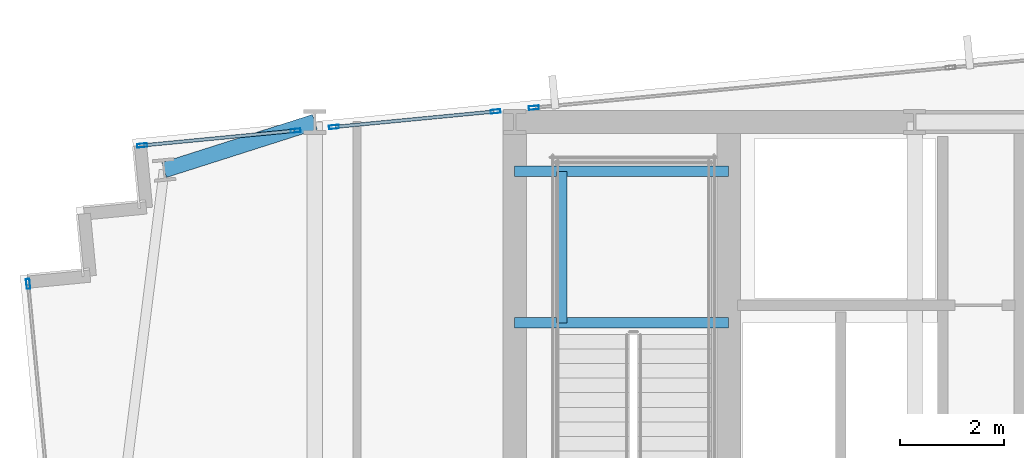
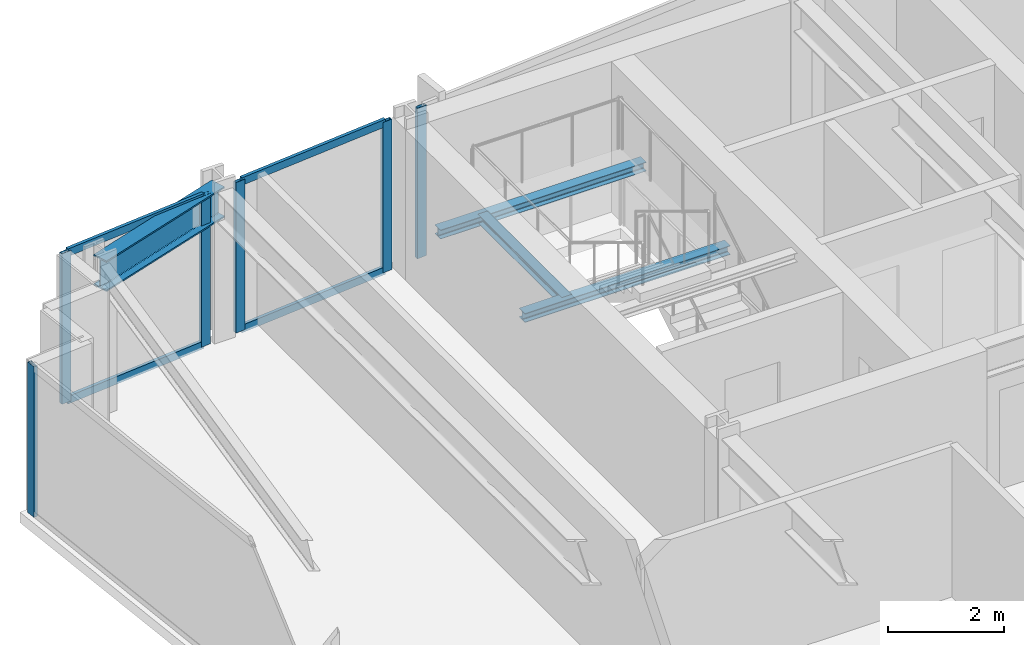
# One storey, part 17 of 33: 10 members, 4 beams, 4 elements without a shape of their own.
"""IFC4 building model written with IfcOpenShell, lengths in metres."""

from ifc_helpers import new_model, si_unit, direction, frame, origin, origin_2d, place, context, subcontext, project, spatial, hollow_rectangle, i_section, extrude, material, material_profile, profile_set, type_object, element, aggregate, save


model = new_model("IFC4")

# Units and contexts
model_context = context("Model", 3, precision=1e-05, world=origin(), true_north=direction((0.0, 1.0)))
body_context = subcontext(model_context, "Body", "Model", "MODEL_VIEW")
ifc_project = project(units=[si_unit("LENGTHUNIT", "METRE"), si_unit("AREAUNIT", "SQUARE_METRE"), si_unit("VOLUMEUNIT", "CUBIC_METRE"), si_unit("PLANEANGLEUNIT", "RADIAN"), si_unit("MASSUNIT", "GRAM", prefix="KILO")], contexts=[model_context])

# Site, building, storey
site_placement = place(None, origin())
site = spatial("IfcSite", under=ifc_project, at=site_placement, CompositionType="ELEMENT")
building_placement = place(site_placement, origin())
building = spatial("IfcBuilding", under=site, at=building_placement, Name="Yelkora Congress Tower", CompositionType="ELEMENT")
storey_placement = place(building_placement, frame((0.0, 0.0, 106.699951171875)))
storey = spatial("IfcBuildingStorey", under=building, at=storey_placement, Name="L28", CompositionType="ELEMENT", Elevation=106.699951171875)

# Beams
ifc_material_1 = material(Name="Steel S355J2", Category="steel")
ifc_material_profile_1 = material_profile(ifc_material_1, i_section(OverallWidth=0.300048828125, OverallDepth=0.64990234375, WebThickness=0.01611328125, FlangeThickness=0.031005859375, FilletRadius=0.027099609375, at=origin_2d()), Name="HEB 650")
ifc_profile_set_1 = profile_set([ifc_material_profile_1], Name="Steel S355J2")
beam_type_1 = type_object("IfcBeamType", Name="BM-GIRD-HEB650", PredefinedType="BEAM", material=ifc_profile_set_1)
beam_1_placement = place(storey_placement, frame((16.306884765625, 45.27734375, 2.85498046875), z_axis=(0.952727067409, 0.303827475759, 0.0), x_axis=(-0.303827475759, 0.952727067409, 0.0)))
element("IfcBeam", 1, at=beam_1_placement, inside=storey, type_object=beam_type_1, Name="L28 Primary Frame Girder N01", PredefinedType="BEAM", context=body_context, shape_type="SweptSolid", body=[
    extrude(i_section(OverallWidth=0.300048828125, OverallDepth=0.64990234375, WebThickness=0.01611328125, FlangeThickness=0.031005859375, FilletRadius=0.027099609375, at=origin_2d()), origin(), (0.0, 0.0, 1.0), 3.03662109375),
])
ifc_material_profile_2 = material_profile(ifc_material_1, i_section(OverallWidth=0.199951171875, OverallDepth=0.18994140625, WebThickness=0.006591796875, FlangeThickness=0.010009765625, FilletRadius=0.01806640625, at=origin_2d()), Name="HEA 200")
ifc_profile_set_2 = profile_set([ifc_material_profile_2], Name="Steel S355J2")
beam_type_2 = type_object("IfcBeamType", Name="BM-LAND-HEA200", PredefinedType="BEAM", material=ifc_profile_set_2)
for number, where, z_axis, x_axis, name in (
    (2, (23.0400390625, 42.340087890625, 1.384765625), (1.0, 0.0, 0.0), (0.0, 1.0, 0.0), "ST-01 L28 Landing Header Beam 1S"),
    (3, (23.0400390625, 45.25, 1.384765625), (1.0, 0.0, 0.0), (0.0, 1.0, 0.0), "ST-01 L28 Landing Header Beam 1N"),
):
    element("IfcBeam", number, at=place(storey_placement, frame(where, z_axis=z_axis, x_axis=x_axis)), inside=storey, type_object=beam_type_2, Name=name, PredefinedType="BEAM", context=body_context, shape_type="SweptSolid", body=[
        extrude(i_section(OverallWidth=0.199951171875, OverallDepth=0.18994140625, WebThickness=0.006591796875, FlangeThickness=0.010009765625, FilletRadius=0.01806640625, at=origin_2d()), origin(), (0.0, 0.0, 1.0), 4.10986328125),
    ])
beam_2_placement = place(storey_placement, frame((23.93994140625, 42.340087890625, 1.384765625), z_axis=(0.0, 1.0, 0.0), x_axis=(-1.0, 0.0, 0.0)))
element("IfcBeam", 4, at=beam_2_placement, inside=storey, type_object=beam_type_2, Name="ST-01 L28 Landing Trimmer Beam 1M", PredefinedType="BEAM", context=body_context, shape_type="SweptSolid", body=[
    extrude(i_section(OverallWidth=0.199951171875, OverallDepth=0.18994140625, WebThickness=0.006591796875, FlangeThickness=0.010009765625, FilletRadius=0.01806640625, at=origin_2d()), origin(), (0.0, 0.0, 1.0), 2.909912109375),
])

# Curtain wall, member
ifc_material_2 = material(Name="Anodised aluminium and insulated glass", Category="aluminium")
curtain_wall_type = type_object("IfcCurtainWallType", Name="CW-SYS-B2", PredefinedType="NOTDEFINED", material=ifc_material_2)
curtain_wall_1_placement = place(storey_placement, origin())
curtain_wall_1 = element("IfcCurtainWall", 5, at=curtain_wall_1_placement, inside=storey, type_object=curtain_wall_type, Name="L28 Unitised Curtain Wall 5", PredefinedType="NOTDEFINED")
ifc_material_3 = material(Name="Anodised aluminium 6063-T6", Category="aluminium")
ifc_material_profile_3 = material_profile(ifc_material_3, hollow_rectangle(XDim=0.070068359375, YDim=0.18994140625, WallThickness=0.00390625, at=origin_2d()), Name="ALU 70x190x4")
ifc_profile_set_3 = profile_set([ifc_material_profile_3], Name="Anodised aluminium 6063-T6")
member_type_1 = type_object("IfcMemberType", Name="MEM-ML-B2", PredefinedType="MULLION", material=ifc_profile_set_3)
member_1_placement = place(storey_placement, frame((13.6943359375, 43.091796875, 0.0), z_axis=(0.0, 0.0, 1.0), x_axis=(-0.995396507508, -0.095842541913, 0.0)))
member_1 = element("IfcMember", 6, at=member_1_placement, type_object=member_type_1, Name="CW-B2 mullion 5", PredefinedType="MULLION", context=body_context, shape_type="SweptSolid", body=[
    extrude(hollow_rectangle(XDim=0.070068359375, YDim=0.18994140625, WallThickness=0.00390625, at=origin_2d()), origin(), (0.0, 0.0, 1.0), 3.179931640625),
])
aggregate(curtain_wall_1, [member_1])

# Curtain wall, members
curtain_wall_2_placement = place(storey_placement, origin())
curtain_wall_2 = element("IfcCurtainWall", 7, at=curtain_wall_2_placement, inside=storey, type_object=curtain_wall_type, Name="L28 Unitised Curtain Wall 10 (1)", PredefinedType="NOTDEFINED")
member_2_placement = place(storey_placement, frame((15.884521484375, 45.7490234375, 0.0), z_axis=(0.0, 0.0, 1.0), x_axis=(-0.095839346142, 0.99539681521, 0.0)))
member_2 = element("IfcMember", 8, at=member_2_placement, type_object=member_type_1, Name="CW-B2 mullion 1", PredefinedType="MULLION", context=body_context, shape_type="SweptSolid", body=[
    extrude(hollow_rectangle(XDim=0.070068359375, YDim=0.18994140625, WallThickness=0.00390625, at=origin_2d()), origin(), (0.0, 0.0, 1.0), 3.179931640625),
])
member_3_placement = place(storey_placement, frame((18.833251953125, 46.032958984375, 0.0), z_axis=(0.0, 0.0, 1.0), x_axis=(-0.095839346142, 0.99539681521, 0.0)))
member_3 = element("IfcMember", 9, at=member_3_placement, type_object=member_type_1, Name="CW-B2 mullion 2", PredefinedType="MULLION", context=body_context, shape_type="SweptSolid", body=[
    extrude(hollow_rectangle(XDim=0.070068359375, YDim=0.18994140625, WallThickness=0.00390625, at=origin_2d()), origin(), (0.0, 0.0, 1.0), 3.179931640625),
])

curtain_wall_3_placement = place(storey_placement, origin())
curtain_wall_3 = element("IfcCurtainWall", 10, at=curtain_wall_3_placement, inside=storey, type_object=curtain_wall_type, Name="L28 Unitised Curtain Wall 10 (2)", PredefinedType="NOTDEFINED")
member_4_placement = place(storey_placement, frame((19.56689453125, 46.103515625, 0.0), z_axis=(0.0, 0.0, 1.0), x_axis=(-0.095841399764, 0.99539661748, 0.0)))
member_4 = element("IfcMember", 11, at=member_4_placement, type_object=member_type_1, Name="CW-B2 mullion 1", PredefinedType="MULLION", context=body_context, shape_type="SweptSolid", body=[
    extrude(hollow_rectangle(XDim=0.070068359375, YDim=0.18994140625, WallThickness=0.00390625, at=origin_2d()), origin(), (0.0, 0.0, 1.0), 3.179931640625),
])
member_5_placement = place(storey_placement, frame((22.673095703125, 46.402587890625, 0.0), z_axis=(0.0, 0.0, 1.0), x_axis=(-0.095841399764, 0.99539661748, 0.0)))
member_5 = element("IfcMember", 12, at=member_5_placement, type_object=member_type_1, Name="CW-B2 mullion 2", PredefinedType="MULLION", context=body_context, shape_type="SweptSolid", body=[
    extrude(hollow_rectangle(XDim=0.070068359375, YDim=0.18994140625, WallThickness=0.00390625, at=origin_2d()), origin(), (0.0, 0.0, 1.0), 3.179931640625),
])

# Curtain wall, member
curtain_wall_4_placement = place(storey_placement, origin())
curtain_wall_4 = element("IfcCurtainWall", 13, at=curtain_wall_4_placement, inside=storey, type_object=curtain_wall_type, Name="L28 Unitised Curtain Wall 10 (3)", PredefinedType="NOTDEFINED")
member_6_placement = place(storey_placement, frame((23.40673828125, 46.473388671875, 0.0), z_axis=(0.0, 0.0, 1.0), x_axis=(-0.095844238468, 0.995396344153, 0.0)))
member_6 = element("IfcMember", 14, at=member_6_placement, type_object=member_type_1, Name="CW-B2 mullion 1", PredefinedType="MULLION", context=body_context, shape_type="SweptSolid", body=[
    extrude(hollow_rectangle(XDim=0.070068359375, YDim=0.18994140625, WallThickness=0.00390625, at=origin_2d()), origin(), (0.0, 0.0, 1.0), 3.179931640625),
])
aggregate(curtain_wall_4, [member_6])

# Member
ifc_material_profile_4 = material_profile(ifc_material_3, hollow_rectangle(XDim=0.06494140625, YDim=0.159912109375, WallThickness=0.00390625, at=origin_2d()), Name="ALU 65x160x4")
ifc_profile_set_4 = profile_set([ifc_material_profile_4], Name="Anodised aluminium 6063-T6")
member_type_2 = type_object("IfcMemberType", Name="MEM-TR-B2", PredefinedType="USERDEFINED", material=ifc_profile_set_4)
member_7_placement = place(storey_placement, frame((15.91943359375, 45.75244140625, 0.032470703125), z_axis=(0.995399744854, 0.095808913705, 0.0), x_axis=(-0.095808913705, 0.995399744854, 0.0)))
member_7 = element("IfcMember", 15, at=member_7_placement, type_object=member_type_2, Name="CW-B2 transom 1.1", ObjectType="TRANSOM", PredefinedType="USERDEFINED", context=body_context, shape_type="SweptSolid", body=[
    extrude(hollow_rectangle(XDim=0.06494140625, YDim=0.159912109375, WallThickness=0.00390625, at=origin_2d()), origin(), (0.0, 0.0, 1.0), 2.89208984375),
])

member_8_placement = place(storey_placement, frame((15.91943359375, 45.75244140625, 3.1474609375), z_axis=(0.995399744854, 0.095808913705, 0.0), x_axis=(-0.095808913705, 0.995399744854, 0.0)))
member_8 = element("IfcMember", 16, at=member_8_placement, type_object=member_type_2, Name="CW-B2 transom 1.2", ObjectType="TRANSOM", PredefinedType="USERDEFINED", context=body_context, shape_type="SweptSolid", body=[
    extrude(hollow_rectangle(XDim=0.06494140625, YDim=0.159912109375, WallThickness=0.00390625, at=origin_2d()), origin(), (0.0, 0.0, 1.0), 2.89208984375),
])

aggregate(curtain_wall_2, [member_2, member_3, member_7, member_8])

member_9_placement = place(storey_placement, frame((19.6015625, 46.10693359375, 0.032470703125), z_axis=(0.995401842144, 0.095787121557, 0.0), x_axis=(-0.095787121557, 0.995401842144, 0.0)))
member_9 = element("IfcMember", 17, at=member_9_placement, type_object=member_type_2, Name="CW-B2 transom 1.1", ObjectType="TRANSOM", PredefinedType="USERDEFINED", context=body_context, shape_type="SweptSolid", body=[
    extrude(hollow_rectangle(XDim=0.06494140625, YDim=0.159912109375, WallThickness=0.00390625, at=origin_2d()), origin(), (0.0, 0.0, 1.0), 3.05078125),
])

member_10_placement = place(storey_placement, frame((19.6015625, 46.10693359375, 3.1474609375), z_axis=(0.995401842144, 0.095787121557, 0.0), x_axis=(-0.095787121557, 0.995401842144, 0.0)))
member_10 = element("IfcMember", 18, at=member_10_placement, type_object=member_type_2, Name="CW-B2 transom 1.2", ObjectType="TRANSOM", PredefinedType="USERDEFINED", context=body_context, shape_type="SweptSolid", body=[
    extrude(hollow_rectangle(XDim=0.06494140625, YDim=0.159912109375, WallThickness=0.00390625, at=origin_2d()), origin(), (0.0, 0.0, 1.0), 3.05078125),
])

aggregate(curtain_wall_3, [member_4, member_5, member_9, member_10])

save(model, "model.ifc")
